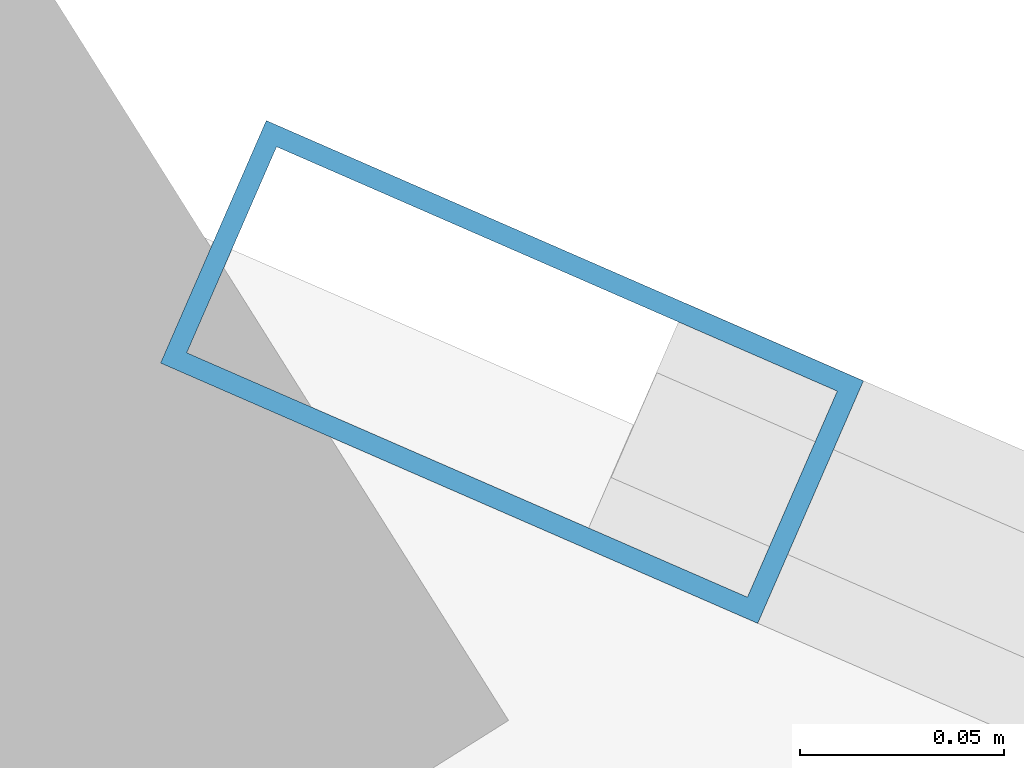
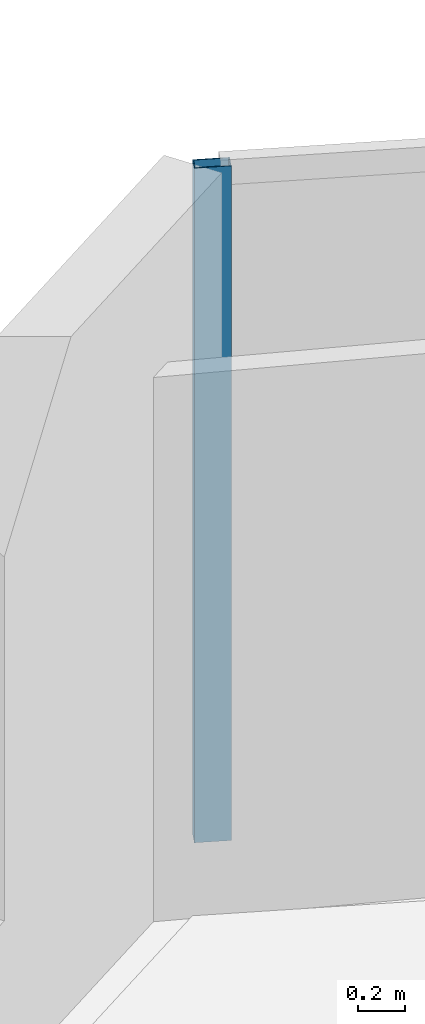
# One storey, part 14 of 20: 1 member, 1 element without a shape of its own.
"""IFC4 building model written with IfcOpenShell, lengths in metres."""

from ifc_helpers import new_model, si_unit, direction, frame, origin, origin_2d, place, context, subcontext, project, spatial, hollow_rectangle, extrude, material, layer, layer_set, material_profile, profile_set, type_object, element, aggregate, save


model = new_model("IFC4")

# Units and contexts
model_context = context("Model", 3, precision=1e-05, world=origin(), true_north=direction((0.0, 1.0)))
body_context = subcontext(model_context, "Body", "Model", "MODEL_VIEW")
ifc_project = project(units=[si_unit("LENGTHUNIT", "METRE"), si_unit("AREAUNIT", "SQUARE_METRE"), si_unit("VOLUMEUNIT", "CUBIC_METRE"), si_unit("PLANEANGLEUNIT", "RADIAN"), si_unit("MASSUNIT", "GRAM", prefix="KILO")], contexts=[model_context])

# Site, building, storey
site_placement = place(None, origin())
site = spatial("IfcSite", under=ifc_project, at=site_placement, CompositionType="ELEMENT")
building_placement = place(site_placement, origin())
building = spatial("IfcBuilding", under=site, at=building_placement, Name="Qianvela Tower", CompositionType="ELEMENT")
storey_placement = place(building_placement, frame((0.0, 0.0, 151.300048828125)))
storey = spatial("IfcBuildingStorey", under=building, at=storey_placement, Name="L38", CompositionType="ELEMENT", Elevation=151.300048828125)

# Curtain wall, member
ifc_material_1 = material(Name="Anodised Architectural Aluminium and Low-E Glass", Category="aluminium")
ifc_layer = layer(ifc_material_1, 0.169921875)
ifc_layer_set = layer_set([ifc_layer], Name="Anodised Architectural Aluminium and Low-E Glass")
curtain_wall_type = type_object("IfcCurtainWallType", Name="CW-COLIV-Z34", PredefinedType="USERDEFINED", material=ifc_layer_set)
curtain_wall_placement = place(storey_placement, origin())
curtain_wall = element("IfcCurtainWall", 1, at=curtain_wall_placement, inside=storey, type_object=curtain_wall_type, Name="L38 CW-COLIV-Z34 Curtain Wall 02C", ObjectType="CURTAIN_WALL_SYSTEM", PredefinedType="USERDEFINED")
ifc_material_2 = material(Name="Anodised Architectural Aluminium 6063-T6", Category="aluminium")
ifc_material_profile = material_profile(ifc_material_2, hollow_rectangle(XDim=0.06494140625, YDim=0.159912109375, WallThickness=0.0048828125, at=origin_2d()), Name="ALU-MULL-65x160")
ifc_profile_set = profile_set([ifc_material_profile], Name="Anodised Architectural Aluminium 6063-T6")
member_type = type_object("IfcMemberType", Name="CW-COLIV-Z34-MULL", PredefinedType="MULLION", material=ifc_profile_set)
member_placement = place(storey_placement, frame((29.251220703125, 43.0244140625, 0.0), z_axis=(0.0, 0.0, 1.0), x_axis=(-0.399595393471, -0.916691617458, 0.0)))
member = element("IfcMember", 2, at=member_placement, type_object=member_type, Name="CW-4 mullion 2", PredefinedType="MULLION", context=body_context, shape_type="SweptSolid", body=[
    extrude(hollow_rectangle(XDim=0.06494140625, YDim=0.159912109375, WallThickness=0.0048828125, at=origin_2d()), origin(), (0.0, 0.0, 1.0), 3.52001953125),
])
aggregate(curtain_wall, [member])

save(model, "model.ifc")
